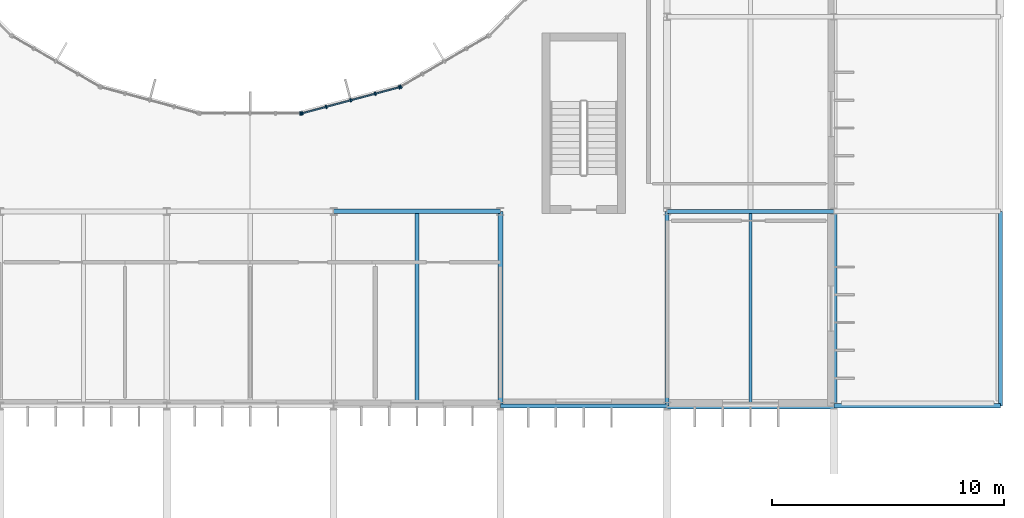
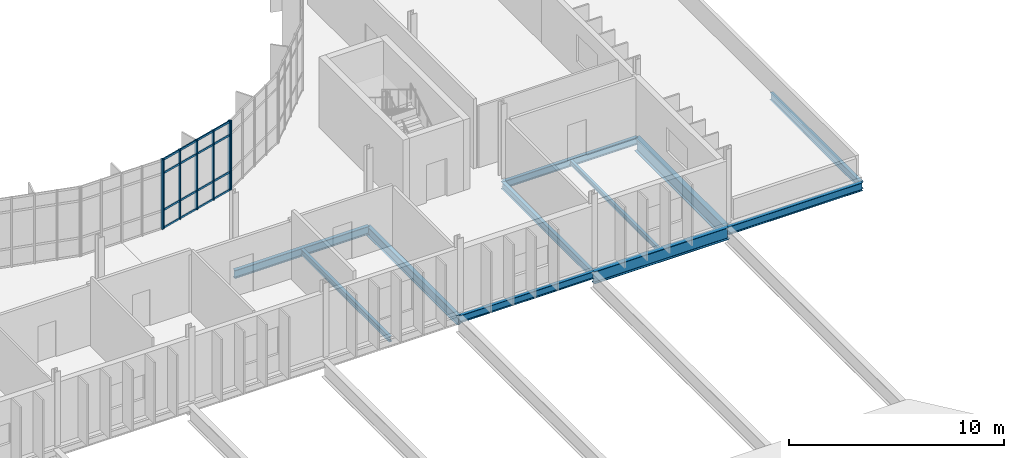
# One storey, part 52 of 99: 11 beams, 11 members, 3 elements without a shape of their own.
"""IFC4 building model written with IfcOpenShell, lengths in metres."""

import ifcopenshell
import ifcopenshell.guid

model = None  # the IFC model being written
_history = None  # IfcOwnerHistory: only IFC2X3 demands one
_inside = {}  # id of a spatial element -> (the spatial element, [elements in it])
_under = {}  # id of a project, library or spatial element -> (it, [spatial elements below it])
_declared = {}  # id of a project -> (the project, [libraries it declares])
_typed = {}  # id of a type object -> (the type object, [elements of that type])
_made_of = {}  # id of a material, layer set ... -> (it, [elements and type objects made of it])


def new_model(schema):
    """Start an empty IFC model of exactly this schema.

    Asked for "IFC4X3", IfcOpenShell would pick the latest addendum, in which some entities
    have other attributes; the version numbers below select the first issue.
    IFC2X3 requires an IfcOwnerHistory on every rooted entity: one is made here for all.
    """
    global model, _history
    if schema == "IFC4X3":
        model = ifcopenshell.file(schema_version=(4, 3, 0, 0))
    else:
        model = ifcopenshell.file(schema=schema)
    _inside.clear()
    _under.clear()
    _declared.clear()
    _typed.clear()
    _made_of.clear()
    _history = None
    if model.schema == "IFC2X3":
        org = make("IfcOrganization", Name="unknown")
        user = make(
            "IfcPersonAndOrganization",
            ThePerson=make("IfcPerson", FamilyName="unknown"),
            TheOrganization=org,
        )
        app = make(
            "IfcApplication",
            ApplicationDeveloper=org,
            Version="unknown",
            ApplicationFullName="unknown",
            ApplicationIdentifier="unknown",
        )
        _history = make(
            "IfcOwnerHistory",
            OwningUser=user,
            OwningApplication=app,
            ChangeAction="ADDED",
            CreationDate=0,
        )
    return model


def make(cls, **values):
    """One entity of the class cls with the attributes given. An attribute that is None is left unset."""
    return model.create_entity(
        cls, **{name: value for name, value in values.items() if value is not None}
    )


def rooted(cls, **values):
    """An entity with a GlobalId (a new one), such as an element, a storey or a relation."""
    return make(cls, GlobalId=ifcopenshell.guid.new(), OwnerHistory=_history, **values)


def si_unit(unit_type, name, prefix=None):
    """IfcSIUnit, for example si_unit("LENGTHUNIT", "METRE", prefix="MILLI")."""
    return make("IfcSIUnit", UnitType=unit_type, Prefix=prefix, Name=name)


def assignment(units):
    """IfcUnitAssignment: the units of a project."""
    return None if units is None else make("IfcUnitAssignment", Units=units)


def point(xyz):
    """IfcCartesianPoint."""
    return None if xyz is None else make("IfcCartesianPoint", Coordinates=xyz)


def direction(xyz):
    """IfcDirection."""
    return None if xyz is None else make("IfcDirection", DirectionRatios=xyz)


def frame(location, z_axis=None, x_axis=None):
    """IfcAxis2Placement3D, a coordinate frame: its origin and axes. An axis left out is left unset."""
    return make(
        "IfcAxis2Placement3D",
        Location=point(location),
        Axis=direction(z_axis),
        RefDirection=direction(x_axis),
    )


def frame_2d(location, x_axis=None):
    """IfcAxis2Placement2D, a coordinate frame in the plane: its origin and x axis."""
    return make(
        "IfcAxis2Placement2D", Location=point(location), RefDirection=direction(x_axis)
    )


def origin():
    """The frame at (0, 0, 0) with its axes left unset."""
    return frame((0.0, 0.0, 0.0))


def origin_2d():
    """The frame at (0, 0) in the plane with its x axis left unset."""
    return frame_2d((0.0, 0.0))


def place(relative_to, where):
    """IfcLocalPlacement: puts the frame where relative to a parent placement (None: the world)."""
    return make(
        "IfcLocalPlacement", PlacementRelTo=relative_to, RelativePlacement=where
    )


def context(
    kind, dimensions, precision=None, world=None, true_north=None, identifier=None
):
    """IfcGeometricRepresentationContext, for example the 3D "Model" context."""
    return make(
        "IfcGeometricRepresentationContext",
        ContextIdentifier=identifier,
        ContextType=kind,
        CoordinateSpaceDimension=dimensions,
        Precision=precision,
        WorldCoordinateSystem=world,
        TrueNorth=true_north,
    )


def subcontext(parent, identifier, kind, view, scale=None):
    """IfcGeometricRepresentationSubContext, for example "Body" below "Model"."""
    return make(
        "IfcGeometricRepresentationSubContext",
        ContextIdentifier=identifier,
        ContextType=kind,
        ParentContext=parent,
        TargetScale=scale,
        TargetView=view,
    )


def project(units=None, contexts=None):
    """IfcProject with its units and contexts."""
    return rooted(
        "IfcProject",
        Name="project",
        RepresentationContexts=contexts,
        UnitsInContext=assignment(units),
    )


def spatial(cls, under=None, at=None, **own):
    """A site, building, storey or space (cls), placed at a placement, below another one or the project."""
    s = rooted(cls, ObjectPlacement=at, **own)
    if under is not None:
        _under.setdefault(under.id(), (under, []))[1].append(s)
    return s


def profile(cls, at=None, kind="AREA", **sizes):
    """A parametric profile (cls). Its sizes go by their IFC names, for example OverallWidth=200.0."""
    return make(cls, ProfileType=kind, Position=at, **sizes)


def rectangle(**sizes):
    """IfcRectangleProfileDef."""
    return profile("IfcRectangleProfileDef", **sizes)


def i_section(**sizes):
    """IfcIShapeProfileDef."""
    return profile("IfcIShapeProfileDef", **sizes)


def extrude(swept, where, along, depth):
    """IfcExtrudedAreaSolid: the profile swept, set in the frame where, extruded along a direction by depth."""
    return make(
        "IfcExtrudedAreaSolid",
        SweptArea=swept,
        Position=where,
        ExtrudedDirection=direction(along),
        Depth=depth,
    )


def shape(context_of_items, identifier, shape_type, items):
    """IfcShapeRepresentation: the items that make up one representation, for example the "Body"."""
    return make(
        "IfcShapeRepresentation",
        ContextOfItems=context_of_items,
        RepresentationIdentifier=identifier,
        RepresentationType=shape_type,
        Items=items,
    )


def material(Name=None, Category=None):
    """IfcMaterial."""
    return make("IfcMaterial", Name=Name, Category=Category)


def material_profile(
    of_material, cross_section, Name=None, Category=None, Priority=None
):
    """IfcMaterialProfile: a cross section and its material."""
    return make(
        "IfcMaterialProfile",
        Name=Name,
        Material=of_material,
        Profile=cross_section,
        Priority=Priority,
        Category=Category,
    )


def profile_set(profiles, Name=None, composite=None):
    """IfcMaterialProfileSet."""
    return make(
        "IfcMaterialProfileSet",
        Name=Name,
        MaterialProfiles=profiles,
        CompositeProfile=composite,
    )


def made_of(thing, what):
    """Note that an element or type object is made of a material, layer set ...; save() writes the relation."""
    if what is not None:
        _made_of.setdefault(what.id(), (what, []))[1].append(thing)
    return thing


def type_object(cls, material=None, **own):
    """A type object (cls), such as IfcWallType, which elements share."""
    return made_of(rooted(cls, **own), material)


def element(
    cls,
    number,
    at=None,
    inside=None,
    cuts=None,
    type_object=None,
    material=None,
    context=None,
    identifier="Body",
    shape_type=None,
    held_by="IfcProductDefinitionShape",
    body=None,
    shapes=None,
    **own,
):
    """One element of the class cls, such as IfcWall. Its Tag is "e" and its number.

    at: its placement. inside: the storey or other place that contains it. cuts: it is an
    opening in that element (IfcRelVoidsElement). A single representation is given by context,
    identifier, shape_type and body (its items); several are given by shapes. held_by: the class
    of the entity that holds the representations. save() writes the other relations.
    """
    e = rooted(cls, Tag="e%d" % number, ObjectPlacement=at, **own)
    if body is not None:
        shapes = [shape(context, identifier, shape_type, body)]
    if shapes is not None:
        e.Representation = make(held_by, Representations=shapes)
    if inside is not None:
        _inside.setdefault(inside.id(), (inside, []))[1].append(e)
    if cuts is not None:
        rooted(
            "IfcRelVoidsElement", RelatingBuildingElement=cuts, RelatedOpeningElement=e
        )
    if type_object is not None:
        _typed.setdefault(type_object.id(), (type_object, []))[1].append(e)
    return made_of(e, material)


def aggregate(whole, parts):
    """IfcRelAggregates: a whole, such as a stair, and the parts it consists of."""
    return rooted("IfcRelAggregates", RelatingObject=whole, RelatedObjects=parts)


def save(model, path):
    """Write the relations noted so far, then the file.

    IfcRelAggregates (storeys below a building ...), IfcRelContainedInSpatialStructure (elements
    in a storey), IfcRelDefinesByType, IfcRelAssociatesMaterial and IfcRelDeclares: one each for
    every whole, place, type object, material and project.
    """
    for whole, parts in _under.values():
        aggregate(whole, parts)
    for where, things in _inside.values():
        rooted(
            "IfcRelContainedInSpatialStructure",
            RelatedElements=things,
            RelatingStructure=where,
        )
    for kind, things in _typed.values():
        rooted("IfcRelDefinesByType", RelatedObjects=things, RelatingType=kind)
    for what, things in _made_of.values():
        rooted("IfcRelAssociatesMaterial", RelatedObjects=things, RelatingMaterial=what)
    for by, libraries in _declared.values():
        rooted("IfcRelDeclares", RelatingContext=by, RelatedDefinitions=libraries)
    model.write(path)


model = new_model("IFC4")

# Units and contexts
model_context = context("Model", 3, precision=1e-05, world=origin(), true_north=direction((0.0, 1.0)))
body_context = subcontext(model_context, "Body", "Model", "MODEL_VIEW")
ifc_project = project(units=[si_unit("LENGTHUNIT", "METRE"), si_unit("AREAUNIT", "SQUARE_METRE"), si_unit("VOLUMEUNIT", "CUBIC_METRE"), si_unit("PLANEANGLEUNIT", "RADIAN"), si_unit("MASSUNIT", "GRAM", prefix="KILO")], contexts=[model_context])

# Site, building, storey
site_placement = place(None, origin())
site = spatial("IfcSite", under=ifc_project, at=site_placement, CompositionType="ELEMENT")
building_placement = place(site_placement, origin())
building = spatial("IfcBuilding", under=site, at=building_placement, Name="Qelthora Terrace Specialist Clinic", CompositionType="ELEMENT")
storey_placement = place(building_placement, frame((0.0, 0.0, 9.0)))
storey = spatial("IfcBuildingStorey", under=building, at=storey_placement, Name="L02", CompositionType="ELEMENT", Elevation=9.0)

# Beams
ifc_material_1 = material(Name="Steel S355", Category="steel")
ifc_material_profile_1 = material_profile(ifc_material_1, i_section(OverallWidth=0.178955078125, OverallDepth=0.409912109375, WebThickness=0.0087890625, FlangeThickness=0.014404296875, FilletRadius=0.011962890625, at=origin_2d()), Name="W410X67")
ifc_profile_set_1 = profile_set([ifc_material_profile_1], Name="Steel S355")
beam_type_1 = type_object("IfcBeamType", Name="BM-W410X67", PredefinedType="BEAM", material=ifc_profile_set_1)
beam_1_placement = place(storey_placement, frame((136.800048828125, 33.60009765625, -0.455078125), z_axis=(1.0, 0.0, 0.0), x_axis=(0.0, 1.0, 0.0)))
element("IfcBeam", 1, at=beam_1_placement, inside=storey, type_object=beam_type_1, Name="Girder BMX-L02-0616", PredefinedType="BEAM", context=body_context, shape_type="SweptSolid", body=[
    extrude(i_section(OverallWidth=0.178955078125, OverallDepth=0.409912109375, WebThickness=0.0087890625, FlangeThickness=0.014404296875, FilletRadius=0.011962890625, at=origin_2d()), origin(), (0.0, 0.0, 1.0), 7.199951171875),
])
beam_2_placement = place(storey_placement, frame((144.0, 33.60009765625, -0.455078125), z_axis=(0.0, 1.0, 0.0), x_axis=(-1.0, 0.0, 0.0)))
element("IfcBeam", 2, at=beam_2_placement, inside=storey, type_object=beam_type_1, Name="Girder BMY-L02-0890", PredefinedType="BEAM", context=body_context, shape_type="SweptSolid", body=[
    extrude(i_section(OverallWidth=0.178955078125, OverallDepth=0.409912109375, WebThickness=0.0087890625, FlangeThickness=0.014404296875, FilletRadius=0.011962890625, at=origin_2d()), origin(), (0.0, 0.0, 1.0), 8.39990234375),
])
ifc_material_profile_2 = material_profile(ifc_material_1, i_section(OverallWidth=0.179931640625, OverallDepth=0.4130859375, WebThickness=0.009765625, FlangeThickness=0.01611328125, FilletRadius=0.011962890625, at=origin_2d()), Name="W410X75")
ifc_profile_set_2 = profile_set([ifc_material_profile_2], Name="Steel S355")
beam_type_2 = type_object("IfcBeamType", Name="BM-W410X75", PredefinedType="BEAM", material=ifc_profile_set_2)
beam_3_placement = place(storey_placement, frame((144.0, 42.0, -0.45654296875), z_axis=(1.0, 0.0, 0.0), x_axis=(0.0, 1.0, 0.0)))
element("IfcBeam", 3, at=beam_3_placement, inside=storey, type_object=beam_type_2, Name="Girder BMX-L02-0625", PredefinedType="BEAM", context=body_context, shape_type="SweptSolid", body=[
    extrude(i_section(OverallWidth=0.179931640625, OverallDepth=0.4130859375, WebThickness=0.009765625, FlangeThickness=0.01611328125, FilletRadius=0.011962890625, at=origin_2d()), origin(), (0.0, 0.0, 1.0), 7.199951171875),
])
beam_4_placement = place(storey_placement, frame((158.39990234375, 33.60009765625, -0.45654296875), z_axis=(0.0, 1.0, 0.0), x_axis=(-1.0, 0.0, 0.0)))
element("IfcBeam", 4, at=beam_4_placement, inside=storey, type_object=beam_type_2, Name="Girder BMY-L02-0909", PredefinedType="BEAM", context=body_context, shape_type="SweptSolid", body=[
    extrude(i_section(OverallWidth=0.179931640625, OverallDepth=0.4130859375, WebThickness=0.009765625, FlangeThickness=0.01611328125, FilletRadius=0.011962890625, at=origin_2d()), origin(), (0.0, 0.0, 1.0), 8.39990234375),
])
ifc_material_profile_3 = material_profile(ifc_material_1, i_section(OverallWidth=0.19091796875, OverallDepth=0.4599609375, WebThickness=0.010009765625, FlangeThickness=0.01611328125, FilletRadius=0.012939453125, at=origin_2d()), Name="W460X82")
ifc_profile_set_3 = profile_set([ifc_material_profile_3], Name="Steel S355")
beam_type_3 = type_object("IfcBeamType", Name="BM-W460X82", PredefinedType="BEAM", material=ifc_profile_set_3)
beam_5_placement = place(storey_placement, frame((129.60009765625, 42.0, -0.47998046875), z_axis=(1.0, 0.0, 0.0), x_axis=(0.0, 1.0, 0.0)))
element("IfcBeam", 5, at=beam_5_placement, inside=storey, type_object=beam_type_3, Name="Girder BMX-L02-0624", PredefinedType="BEAM", context=body_context, shape_type="SweptSolid", body=[
    extrude(i_section(OverallWidth=0.19091796875, OverallDepth=0.4599609375, WebThickness=0.010009765625, FlangeThickness=0.01611328125, FilletRadius=0.012939453125, at=origin_2d()), origin(), (0.0, 0.0, 1.0), 7.199951171875),
])
ifc_material_profile_4 = material_profile(ifc_material_1, i_section(OverallWidth=0.2119140625, OverallDepth=0.5439453125, WebThickness=0.01318359375, FlangeThickness=0.021240234375, FilletRadius=0.013916015625, at=origin_2d()), Name="W530X123")
ifc_profile_set_4 = profile_set([ifc_material_profile_4], Name="Steel S355")
beam_type_4 = type_object("IfcBeamType", Name="BM-W530X123", PredefinedType="BEAM", material=ifc_profile_set_4)
beam_6_placement = place(storey_placement, frame((136.800048828125, 33.60009765625, -0.52197265625), z_axis=(0.0, 1.0, 0.0), x_axis=(-1.0, 0.0, 0.0)))
element("IfcBeam", 6, at=beam_6_placement, inside=storey, type_object=beam_type_4, Name="Girder BMY-L02-0885", PredefinedType="BEAM", context=body_context, shape_type="SweptSolid", body=[
    extrude(i_section(OverallWidth=0.2119140625, OverallDepth=0.5439453125, WebThickness=0.01318359375, FlangeThickness=0.021240234375, FilletRadius=0.013916015625, at=origin_2d()), origin(), (0.0, 0.0, 1.0), 8.39990234375),
])
ifc_material_profile_5 = material_profile(ifc_material_1, i_section(OverallWidth=0.256103515625, OverallDepth=0.693115234375, WebThickness=0.014404296875, FlangeThickness=0.023681640625, FilletRadius=0.01806640625, at=origin_2d()), Name="W690X170")
ifc_profile_set_5 = profile_set([ifc_material_profile_5], Name="Steel S355")
beam_type_5 = type_object("IfcBeamType", Name="BM-W690X170", PredefinedType="BEAM", material=ifc_profile_set_5)
beam_7_placement = place(storey_placement, frame((144.0, 33.60009765625, -0.596435546875), z_axis=(1.0, 0.0, 0.0), x_axis=(0.0, 1.0, 0.0)))
element("IfcBeam", 7, at=beam_7_placement, inside=storey, type_object=beam_type_5, Name="Girder BMX-L02-0617", PredefinedType="BEAM", context=body_context, shape_type="SweptSolid", body=[
    extrude(i_section(OverallWidth=0.256103515625, OverallDepth=0.693115234375, WebThickness=0.014404296875, FlangeThickness=0.023681640625, FilletRadius=0.01806640625, at=origin_2d()), origin(), (0.0, 0.0, 1.0), 7.199951171875),
])
ifc_material_profile_6 = material_profile(ifc_material_1, i_section(OverallWidth=0.26806640625, OverallDepth=0.77001953125, WebThickness=0.015625, FlangeThickness=0.025390625, FilletRadius=0.01904296875, at=origin_2d()), Name="W760X196")
ifc_profile_set_6 = profile_set([ifc_material_profile_6], Name="Steel S355")
beam_type_6 = type_object("IfcBeamType", Name="BM-W760X196", PredefinedType="BEAM", material=ifc_profile_set_6)
beam_8_placement = place(storey_placement, frame((151.199951171875, 33.60009765625, -0.635009765625), z_axis=(0.0, 1.0, 0.0), x_axis=(-1.0, 0.0, 0.0)))
element("IfcBeam", 8, at=beam_8_placement, inside=storey, type_object=beam_type_6, Name="Girder BMY-L02-0902", PredefinedType="BEAM", context=body_context, shape_type="SweptSolid", body=[
    extrude(i_section(OverallWidth=0.26806640625, OverallDepth=0.77001953125, WebThickness=0.015625, FlangeThickness=0.025390625, FilletRadius=0.01904296875, at=origin_2d()), origin(), (0.0, 0.0, 1.0), 8.39990234375),
])

# Curtain wall, member
ifc_material_2 = material(Name="Aluminium anodized bronze", Category="aluminium")
curtain_wall_type = type_object("IfcCurtainWallType", Name="CW-CRTE-UPP", PredefinedType="NOTDEFINED", material=ifc_material_2)
curtain_wall_1_placement = place(storey_placement, origin())
curtain_wall_1 = element("IfcCurtainWall", 9, at=curtain_wall_1_placement, inside=storey, type_object=curtain_wall_type, Name="Curtain wall CW-CE-L02-18", PredefinedType="NOTDEFINED")
ifc_material_profile_7 = material_profile(ifc_material_2, rectangle(XDim=0.06005859375, YDim=0.14990234375, at=origin_2d()), Name="CWM60X150")
ifc_profile_set_7 = profile_set([ifc_material_profile_7], Name="Aluminium anodized bronze")
member_type_1 = type_object("IfcMemberType", Name="CWM-60X150", PredefinedType="MULLION", material=ifc_profile_set_7)
member_1_placement = place(storey_placement, frame((128.1728515625, 46.2236328125, 0.0), z_axis=(0.0, 0.0, 1.0), x_axis=(1.0, 0.0, 0.0)))
member_1 = element("IfcMember", 10, at=member_1_placement, type_object=member_type_1, Name="CW-CE-L02-18 mullion 5", PredefinedType="MULLION", context=body_context, shape_type="SweptSolid", body=[
    extrude(rectangle(XDim=0.06005859375, YDim=0.14990234375, at=origin_2d()), origin(), (0.0, 0.0, 1.0), 3.945068359375),
])
aggregate(curtain_wall_1, [member_1])

# Curtain wall, members
curtain_wall_2_placement = place(storey_placement, origin())
curtain_wall_2 = element("IfcCurtainWall", 11, at=curtain_wall_2_placement, inside=storey, type_object=curtain_wall_type, Name="Curtain wall CW-CE-L02-19", PredefinedType="NOTDEFINED")
member_2_placement = place(storey_placement, frame((128.2431640625, 46.23291015625, 0.0), z_axis=(0.0, 0.0, 1.0), x_axis=(0.965925660235, 0.258819664824, 0.0)))
member_2 = element("IfcMember", 12, at=member_2_placement, type_object=member_type_1, Name="CW-CE-L02-19 mullion 1", PredefinedType="MULLION", context=body_context, shape_type="SweptSolid", body=[
    extrude(rectangle(XDim=0.06005859375, YDim=0.14990234375, at=origin_2d()), origin(), (0.0, 0.0, 1.0), 3.945068359375),
])
member_3_placement = place(storey_placement, frame((129.282958984375, 46.511474609375, 0.0), z_axis=(0.0, 0.0, 1.0), x_axis=(0.965925660235, 0.258819664824, 0.0)))
member_3 = element("IfcMember", 13, at=member_3_placement, type_object=member_type_1, Name="CW-CE-L02-19 mullion 2", PredefinedType="MULLION", context=body_context, shape_type="SweptSolid", body=[
    extrude(rectangle(XDim=0.06005859375, YDim=0.14990234375, at=origin_2d()), origin(), (0.0, 0.0, 1.0), 3.945068359375),
])
member_4_placement = place(storey_placement, frame((130.342041015625, 46.79541015625, 0.0), z_axis=(0.0, 0.0, 1.0), x_axis=(0.965925660235, 0.258819664824, 0.0)))
member_4 = element("IfcMember", 14, at=member_4_placement, type_object=member_type_1, Name="CW-CE-L02-19 mullion 3", PredefinedType="MULLION", context=body_context, shape_type="SweptSolid", body=[
    extrude(rectangle(XDim=0.06005859375, YDim=0.14990234375, at=origin_2d()), origin(), (0.0, 0.0, 1.0), 3.945068359375),
])
member_5_placement = place(storey_placement, frame((131.401123046875, 47.0791015625, 0.0), z_axis=(0.0, 0.0, 1.0), x_axis=(0.965925660235, 0.258819664824, 0.0)))
member_5 = element("IfcMember", 15, at=member_5_placement, type_object=member_type_1, Name="CW-CE-L02-19 mullion 4", PredefinedType="MULLION", context=body_context, shape_type="SweptSolid", body=[
    extrude(rectangle(XDim=0.06005859375, YDim=0.14990234375, at=origin_2d()), origin(), (0.0, 0.0, 1.0), 3.945068359375),
])
member_6_placement = place(storey_placement, frame((132.44091796875, 47.357666015625, 0.0), z_axis=(0.0, 0.0, 1.0), x_axis=(0.965925660235, 0.258819664824, 0.0)))
member_6 = element("IfcMember", 16, at=member_6_placement, type_object=member_type_1, Name="CW-CE-L02-19 mullion 5", PredefinedType="MULLION", context=body_context, shape_type="SweptSolid", body=[
    extrude(rectangle(XDim=0.06005859375, YDim=0.14990234375, at=origin_2d()), origin(), (0.0, 0.0, 1.0), 3.945068359375),
])

# Curtain wall, member
curtain_wall_3_placement = place(storey_placement, origin())
curtain_wall_3 = element("IfcCurtainWall", 17, at=curtain_wall_3_placement, inside=storey, type_object=curtain_wall_type, Name="Curtain wall CW-CE-L02-20", PredefinedType="NOTDEFINED")
member_7_placement = place(storey_placement, frame((132.50634765625, 47.385009765625, 0.0), z_axis=(0.0, 0.0, 1.0), x_axis=(0.86602538709, 0.500000028915, 0.0)))
member_7 = element("IfcMember", 18, at=member_7_placement, type_object=member_type_1, Name="CW-CE-L02-20 mullion 1", PredefinedType="MULLION", context=body_context, shape_type="SweptSolid", body=[
    extrude(rectangle(XDim=0.06005859375, YDim=0.14990234375, at=origin_2d()), origin(), (0.0, 0.0, 1.0), 3.945068359375),
])
aggregate(curtain_wall_3, [member_7])

# Member
ifc_material_profile_8 = material_profile(ifc_material_2, rectangle(XDim=0.06005859375, YDim=0.110107421875, at=origin_2d()), Name="CWT60X110")
ifc_profile_set_8 = profile_set([ifc_material_profile_8], Name="Aluminium anodized bronze")
member_type_2 = type_object("IfcMemberType", Name="CWT-60X110", PredefinedType="USERDEFINED", material=ifc_profile_set_8)
member_8_placement = place(storey_placement, frame((128.262451171875, 46.23828125, 0.0400390625), z_axis=(0.965933119212, 0.25879182601, 0.0), x_axis=(-0.25879182601, 0.965933119212, 0.0)))
member_8 = element("IfcMember", 19, at=member_8_placement, type_object=member_type_2, Name="CW-CE-L02-19 transom 1", ObjectType="TRANSOM", PredefinedType="USERDEFINED", context=body_context, shape_type="SweptSolid", body=[
    extrude(rectangle(XDim=0.06005859375, YDim=0.110107421875, at=origin_2d()), origin(), (0.0, 0.0, 1.0), 4.3056640625),
])

member_9_placement = place(storey_placement, frame((128.262451171875, 46.23828125, 1.050048828125), z_axis=(0.965933119212, 0.25879182601, 0.0), x_axis=(-0.25879182601, 0.965933119212, 0.0)))
member_9 = element("IfcMember", 20, at=member_9_placement, type_object=member_type_2, Name="CW-CE-L02-19 transom 2", ObjectType="TRANSOM", PredefinedType="USERDEFINED", context=body_context, shape_type="SweptSolid", body=[
    extrude(rectangle(XDim=0.06005859375, YDim=0.110107421875, at=origin_2d()), origin(), (0.0, 0.0, 1.0), 4.3056640625),
])

member_10_placement = place(storey_placement, frame((128.262451171875, 46.23828125, 3.14501953125), z_axis=(0.965933119212, 0.25879182601, 0.0), x_axis=(-0.25879182601, 0.965933119212, 0.0)))
member_10 = element("IfcMember", 21, at=member_10_placement, type_object=member_type_2, Name="CW-CE-L02-19 transom 3", ObjectType="TRANSOM", PredefinedType="USERDEFINED", context=body_context, shape_type="SweptSolid", body=[
    extrude(rectangle(XDim=0.06005859375, YDim=0.110107421875, at=origin_2d()), origin(), (0.0, 0.0, 1.0), 4.3056640625),
])

member_11_placement = place(storey_placement, frame((128.262451171875, 46.23828125, 3.905029296875), z_axis=(0.965933119212, 0.25879182601, 0.0), x_axis=(-0.25879182601, 0.965933119212, 0.0)))
member_11 = element("IfcMember", 22, at=member_11_placement, type_object=member_type_2, Name="CW-CE-L02-19 transom 4", ObjectType="TRANSOM", PredefinedType="USERDEFINED", context=body_context, shape_type="SweptSolid", body=[
    extrude(rectangle(XDim=0.06005859375, YDim=0.110107421875, at=origin_2d()), origin(), (0.0, 0.0, 1.0), 4.3056640625),
])

aggregate(curtain_wall_2, [member_2, member_3, member_4, member_5, member_6, member_8, member_9, member_10, member_11])

# Beams
ifc_material_profile_9 = material_profile(ifc_material_1, i_section(OverallWidth=0.14599609375, OverallDepth=0.258056640625, WebThickness=0.006103515625, FlangeThickness=0.009033203125, FilletRadius=0.009033203125, at=origin_2d()), Name="W250X33")
ifc_profile_set_9 = profile_set([ifc_material_profile_9], Name="Steel S355")
beam_type_7 = type_object("IfcBeamType", Name="JST-W250X33", PredefinedType="JOIST", material=ifc_profile_set_9)
beam_9_placement = place(storey_placement, frame((147.60009765625, 33.72802734375, -0.37890625), z_axis=(0.0, 1.0, 0.0), x_axis=(-1.0, 0.0, 0.0)))
element("IfcBeam", 23, at=beam_9_placement, inside=storey, type_object=beam_type_7, Name="Composite floor joist JST-L02-0210", PredefinedType="JOIST", context=body_context, shape_type="SweptSolid", body=[
    extrude(i_section(OverallWidth=0.14599609375, OverallDepth=0.258056640625, WebThickness=0.006103515625, FlangeThickness=0.009033203125, FilletRadius=0.009033203125, at=origin_2d()), origin(), (0.0, 0.0, 1.0), 8.181884765625),
])
ifc_material_profile_10 = material_profile(ifc_material_1, i_section(OverallWidth=0.1669921875, OverallDepth=0.31689453125, WebThickness=0.007568359375, FlangeThickness=0.01318359375, FilletRadius=0.010009765625, at=origin_2d()), Name="W310X52")
ifc_profile_set_10 = profile_set([ifc_material_profile_10], Name="Steel S355")
beam_type_8 = type_object("IfcBeamType", Name="JST-W310X52", PredefinedType="JOIST", material=ifc_profile_set_10)
beam_10_placement = place(storey_placement, frame((133.199951171875, 33.695556640625, -0.408447265625), z_axis=(0.0, 1.0, 0.0), x_axis=(-1.0, 0.0, 0.0)))
element("IfcBeam", 24, at=beam_10_placement, inside=storey, type_object=beam_type_8, Name="Composite floor joist JST-L02-0207", PredefinedType="JOIST", context=body_context, shape_type="SweptSolid", body=[
    extrude(i_section(OverallWidth=0.1669921875, OverallDepth=0.31689453125, WebThickness=0.007568359375, FlangeThickness=0.01318359375, FilletRadius=0.010009765625, at=origin_2d()), origin(), (0.0, 0.0, 1.0), 8.208984375),
])
ifc_material_profile_11 = material_profile(ifc_material_1, i_section(OverallWidth=0.19091796875, OverallDepth=0.4599609375, WebThickness=0.010009765625, FlangeThickness=0.01611328125, FilletRadius=0.012939453125, at=origin_2d()), Name="W460X82")
ifc_profile_set_11 = profile_set([ifc_material_profile_11], Name="Steel S355")
beam_type_9 = type_object("IfcBeamType", Name="SPD-W460X82", PredefinedType="SPANDREL", material=ifc_profile_set_11)
beam_11_placement = place(storey_placement, frame((151.199951171875, 33.60009765625, -0.47998046875), z_axis=(1.0, 0.0, 0.0), x_axis=(0.0, 1.0, 0.0)))
element("IfcBeam", 25, at=beam_11_placement, inside=storey, type_object=beam_type_9, Name="Girder BMX-L02-0618", PredefinedType="SPANDREL", context=body_context, shape_type="SweptSolid", body=[
    extrude(i_section(OverallWidth=0.19091796875, OverallDepth=0.4599609375, WebThickness=0.010009765625, FlangeThickness=0.01611328125, FilletRadius=0.012939453125, at=origin_2d()), origin(), (0.0, 0.0, 1.0), 7.199951171875),
])

save(model, "model.ifc")
